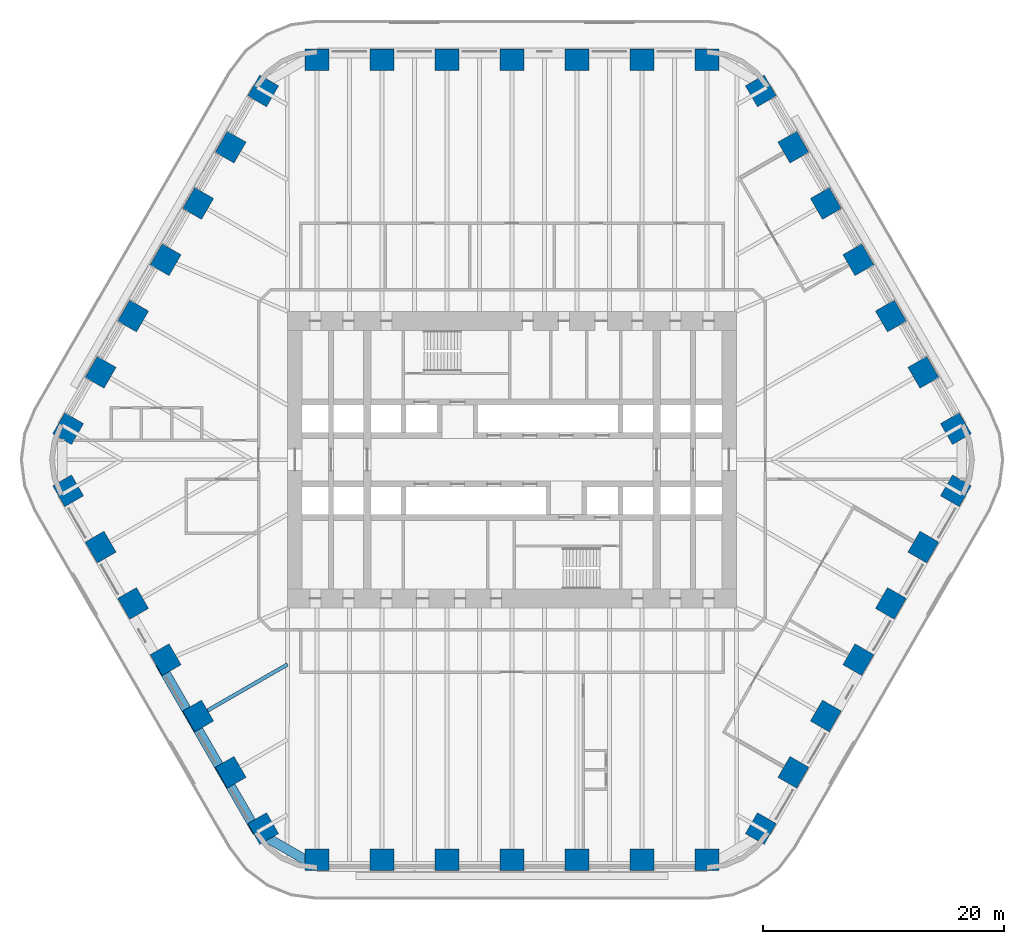
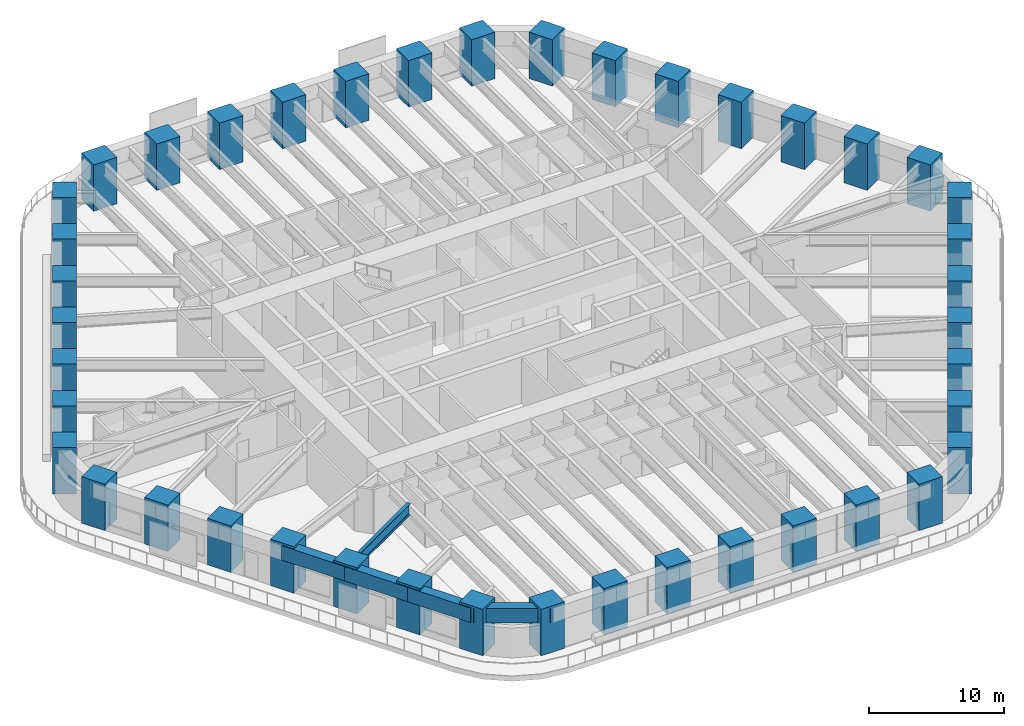
# One storey, part 1 of 23: 42 columns, 5 beams.
"""IFC4 building model written with IfcOpenShell, lengths in metres."""

from ifc_helpers import new_model, si_unit, direction, frame, origin, origin_2d, place, context, subcontext, project, spatial, rectangle, i_section, extrude, material, material_profile, profile_set, type_object, element, save


model = new_model("IFC4")

# Units and contexts
model_context = context("Model", 3, precision=1e-05, world=origin(), true_north=direction((0.0, 1.0)))
body_context = subcontext(model_context, "Body", "Model", "MODEL_VIEW")
ifc_project = project(units=[si_unit("LENGTHUNIT", "METRE"), si_unit("AREAUNIT", "SQUARE_METRE"), si_unit("VOLUMEUNIT", "CUBIC_METRE"), si_unit("PLANEANGLEUNIT", "RADIAN"), si_unit("MASSUNIT", "GRAM", prefix="KILO")], contexts=[model_context])

# Site, building, storey
site_placement = place(None, origin())
site = spatial("IfcSite", under=ifc_project, at=site_placement, CompositionType="ELEMENT")
building_placement = place(site_placement, origin())
building = spatial("IfcBuilding", under=site, at=building_placement, Name="Tarfa Lantern Tower", CompositionType="ELEMENT")
storey_placement = place(building_placement, frame((0.0, 0.0, 52.89990234375)))
storey = spatial("IfcBuildingStorey", under=building, at=storey_placement, Name="L11", CompositionType="ELEMENT", Elevation=52.89990234375)

# Columns
ifc_material_1 = material(Name="Concrete C80/95", Category="concrete")
ifc_material_profile_1 = material_profile(ifc_material_1, rectangle(XDim=2.0, YDim=1.800048828125, at=origin_2d()), Name="RC 2000x1800")
ifc_profile_set_1 = profile_set([ifc_material_profile_1], Name="Concrete C80/95")
column_type = type_object("IfcColumnType", Name="TC2 RC 2000x1800", PredefinedType="COLUMN", material=ifc_profile_set_1)
for number, where, z_axis, x_axis, name in (
    (1, (36.791748046875, 2.574951171875, 0.0), (0.0, 0.0, 1.0), (-0.5, 0.866025403784, 0.0), "Tube column NE0"),
    (2, (34.097412109375, 7.24169921875, 0.0), (0.0, 0.0, 1.0), (-0.5, 0.866025403784, 0.0), "Tube column NE1"),
    (3, (31.403076171875, 11.908447265625, 0.0), (0.0, 0.0, 1.0), (-0.5, 0.866025403784, 0.0), "Tube column NE2"),
    (4, (28.708740234375, 16.574951171875, 0.0), (0.0, 0.0, 1.0), (-0.5, 0.866025403784, 0.0), "Tube column NE3"),
    (5, (26.014404296875, 21.24169921875, 0.0), (0.0, 0.0, 1.0), (-0.5, 0.866025403784, 0.0), "Tube column NE4"),
    (6, (23.320068359375, 25.908447265625, 0.0), (0.0, 0.0, 1.0), (-0.5, 0.866025403784, 0.0), "Tube column NE5"),
    (7, (20.625732421875, 30.574951171875, 0.0), (0.0, 0.0, 1.0), (-0.5, 0.866025403784, 0.0), "Tube column NE6"),
    (8, (16.165771484375, 33.14990234375, 0.0), (0.0, 0.0, 1.0), (-1.0, 0.0, 0.0), "Tube column N0"),
    (9, (10.777099609375, 33.14990234375, 0.0), (0.0, 0.0, 1.0), (-1.0, 0.0, 0.0), "Tube column N1"),
    (10, (5.388671875, 33.14990234375, 0.0), (0.0, 0.0, 1.0), (-1.0, 0.0, 0.0), "Tube column N2"),
    (11, (0.0, 33.14990234375, 0.0), (0.0, 0.0, 1.0), (-1.0, 0.0, 0.0), "Tube column N3"),
    (12, (-5.388671875, 33.14990234375, 0.0), (0.0, 0.0, 1.0), (-1.0, 0.0, 0.0), "Tube column N4"),
    (13, (-10.777099609375, 33.14990234375, 0.0), (0.0, 0.0, 1.0), (-1.0, 0.0, 0.0), "Tube column N5"),
    (14, (-16.165771484375, 33.14990234375, 0.0), (0.0, 0.0, 1.0), (-1.0, 0.0, 0.0), "Tube column N6"),
    (15, (-20.625732421875, 30.574951171875, 0.0), (0.0, 0.0, 1.0), (-0.5, -0.866025403784, 0.0), "Tube column NW0"),
    (16, (-23.320068359375, 25.908447265625, 0.0), (0.0, 0.0, 1.0), (-0.5, -0.866025403784, 0.0), "Tube column NW1"),
    (17, (-26.014404296875, 21.24169921875, 0.0), (0.0, 0.0, 1.0), (-0.5, -0.866025403784, 0.0), "Tube column NW2"),
    (18, (-28.708740234375, 16.574951171875, 0.0), (0.0, 0.0, 1.0), (-0.5, -0.866025403784, 0.0), "Tube column NW3"),
    (19, (-31.403076171875, 11.908447265625, 0.0), (0.0, 0.0, 1.0), (-0.5, -0.866025403784, 0.0), "Tube column NW4"),
    (20, (-34.097412109375, 7.24169921875, 0.0), (0.0, 0.0, 1.0), (-0.5, -0.866025403784, 0.0), "Tube column NW5"),
    (21, (-36.791748046875, 2.574951171875, 0.0), (0.0, 0.0, 1.0), (-0.5, -0.866025403784, 0.0), "Tube column NW6"),
    (22, (-36.791748046875, -2.574951171875, 0.0), (0.0, 0.0, 1.0), (0.5, -0.866025403784, 0.0), "Tube column SW0"),
    (23, (-34.097412109375, -7.24169921875, 0.0), (0.0, 0.0, 1.0), (0.5, -0.866025403784, 0.0), "Tube column SW1"),
    (24, (-31.403076171875, -11.908447265625, 0.0), (0.0, 0.0, 1.0), (0.5, -0.866025403784, 0.0), "Tube column SW2"),
    (25, (-28.708740234375, -16.574951171875, 0.0), (0.0, 0.0, 1.0), (0.5, -0.866025403784, 0.0), "Tube column SW3"),
    (26, (-26.014404296875, -21.24169921875, 0.0), (0.0, 0.0, 1.0), (0.5, -0.866025403784, 0.0), "Tube column SW4"),
    (27, (-23.320068359375, -25.908447265625, 0.0), (0.0, 0.0, 1.0), (0.5, -0.866025403784, 0.0), "Tube column SW5"),
    (28, (-20.625732421875, -30.574951171875, 0.0), (0.0, 0.0, 1.0), (0.5, -0.866025403784, 0.0), "Tube column SW6"),
    (29, (-16.165771484375, -33.14990234375, 0.0), (0.0, 0.0, 1.0), (1.0, 0.0, 0.0), "Tube column S0"),
    (30, (-10.777099609375, -33.14990234375, 0.0), (0.0, 0.0, 1.0), (1.0, 0.0, 0.0), "Tube column S1"),
    (31, (-5.388671875, -33.14990234375, 0.0), (0.0, 0.0, 1.0), (1.0, 0.0, 0.0), "Tube column S2"),
    (32, (0.0, -33.14990234375, 0.0), (0.0, 0.0, 1.0), (1.0, 0.0, 0.0), "Tube column S3"),
    (33, (5.388671875, -33.14990234375, 0.0), (0.0, 0.0, 1.0), (1.0, 0.0, 0.0), "Tube column S4"),
    (34, (10.777099609375, -33.14990234375, 0.0), (0.0, 0.0, 1.0), (1.0, 0.0, 0.0), "Tube column S5"),
    (35, (16.165771484375, -33.14990234375, 0.0), (0.0, 0.0, 1.0), (1.0, 0.0, 0.0), "Tube column S6"),
    (36, (20.625732421875, -30.574951171875, 0.0), (0.0, 0.0, 1.0), (0.5, 0.866025403784, 0.0), "Tube column SE0"),
    (37, (23.320068359375, -25.908447265625, 0.0), (0.0, 0.0, 1.0), (0.5, 0.866025403784, 0.0), "Tube column SE1"),
    (38, (26.014404296875, -21.24169921875, 0.0), (0.0, 0.0, 1.0), (0.5, 0.866025403784, 0.0), "Tube column SE2"),
    (39, (28.708740234375, -16.574951171875, 0.0), (0.0, 0.0, 1.0), (0.5, 0.866025403784, 0.0), "Tube column SE3"),
    (40, (31.403076171875, -11.908447265625, 0.0), (0.0, 0.0, 1.0), (0.5, 0.866025403784, 0.0), "Tube column SE4"),
    (41, (34.097412109375, -7.24169921875, 0.0), (0.0, 0.0, 1.0), (0.5, 0.866025403784, 0.0), "Tube column SE5"),
    (42, (36.791748046875, -2.574951171875, 0.0), (0.0, 0.0, 1.0), (0.5, 0.866025403784, 0.0), "Tube column SE6"),
):
    element("IfcColumn", number, at=place(storey_placement, frame(where, z_axis=z_axis, x_axis=x_axis)), inside=storey, type_object=column_type, Name=name, PredefinedType="COLUMN", context=body_context, shape_type="SweptSolid", body=[
        extrude(rectangle(XDim=2.0, YDim=1.800048828125, at=origin_2d()), origin(), (0.0, 0.0, 1.0), 4.2001953125),
    ])

# Beams
ifc_material_profile_2 = material_profile(ifc_material_1, rectangle(XDim=0.800048828125, YDim=1.300048828125, at=origin_2d()), Name="RC 800x1300")
ifc_profile_set_2 = profile_set([ifc_material_profile_2], Name="Concrete C80/95")
beam_type_1 = type_object("IfcBeamType", Name="EB1 RC 800x1300", PredefinedType="SPANDREL", material=ifc_profile_set_2)
beam_1_placement = place(storey_placement, frame((-29.202392578125, -16.860107421875, 3.35009765625), z_axis=(0.500017906299, -0.866015065331, 0.0), x_axis=(0.866015065331, 0.500017906299, 0.0)))
element("IfcBeam", 43, at=beam_1_placement, inside=storey, type_object=beam_type_1, Name="Edge beam SW3", PredefinedType="SPANDREL", context=body_context, shape_type="SweptSolid", body=[
    extrude(rectangle(XDim=0.800048828125, YDim=1.300048828125, at=origin_2d()), origin(), (0.0, 0.0, 1.0), 5.388427734375),
])
for number, where, z_axis, x_axis, name in (
    (44, (-26.508056640625, -21.526611328125, 3.35009765625), (0.499998287579, -0.866026392449, 0.0), (0.866026392449, 0.499998287579, 0.0), "Edge beam SW4"),
    (45, (-23.813720703125, -26.193359375, 3.35009765625), (0.499998287579, -0.866026392449, 0.0), (0.866026392449, 0.499998287579, 0.0), "Edge beam SW5"),
):
    element("IfcBeam", number, at=place(storey_placement, frame(where, z_axis=z_axis, x_axis=x_axis)), inside=storey, type_object=beam_type_1, Name=name, PredefinedType="SPANDREL", context=body_context, shape_type="SweptSolid", body=[
        extrude(rectangle(XDim=0.800048828125, YDim=1.300048828125, at=origin_2d()), origin(), (0.0, 0.0, 1.0), 5.388671875),
    ])
beam_2_placement = place(storey_placement, frame((-21.119384765625, -30.860107421875, 3.35009765625), z_axis=(0.866033479681, -0.499986011877, 0.0), x_axis=(0.499986011877, 0.866033479681, 0.0)))
element("IfcBeam", 46, at=beam_2_placement, inside=storey, type_object=beam_type_1, Name="Edge beam SW6", PredefinedType="SPANDREL", context=body_context, shape_type="SweptSolid", body=[
    extrude(rectangle(XDim=0.800048828125, YDim=1.300048828125, at=origin_2d()), origin(), (0.0, 0.0, 1.0), 5.719970703125),
])
ifc_material_2 = material(Name="Steel S460M", Category="steel")
ifc_material_profile_3 = material_profile(ifc_material_2, i_section(OverallWidth=0.302001953125, OverallDepth=1.008056640625, WebThickness=0.02099609375, FlangeThickness=0.0400390625, FilletRadius=0.030029296875, at=origin_2d()), Name="UB1016x305x349")
ifc_profile_set_3 = profile_set([ifc_material_profile_3], Name="Steel S460M")
beam_type_2 = type_object("IfcBeamType", Name="UB1016x305x349", PredefinedType="BEAM", material=ifc_profile_set_3)
beam_3_placement = place(storey_placement, frame((-26.508056640625, -21.526611328125, 3.49609375), z_axis=(0.866035355799, 0.49998276221, 0.0), x_axis=(-0.49998276221, 0.866035355799, 0.0)))
element("IfcBeam", 47, at=beam_3_placement, inside=storey, type_object=beam_type_2, Name="Floor beam SW4", PredefinedType="BEAM", context=body_context, shape_type="SweptSolid", body=[
    extrude(i_section(OverallWidth=0.302001953125, OverallDepth=1.008056640625, WebThickness=0.02099609375, FlangeThickness=0.0400390625, FilletRadius=0.030029296875, at=origin_2d()), origin(), (0.0, 0.0, 1.0), 9.119873046875),
])

save(model, "model.ifc")
